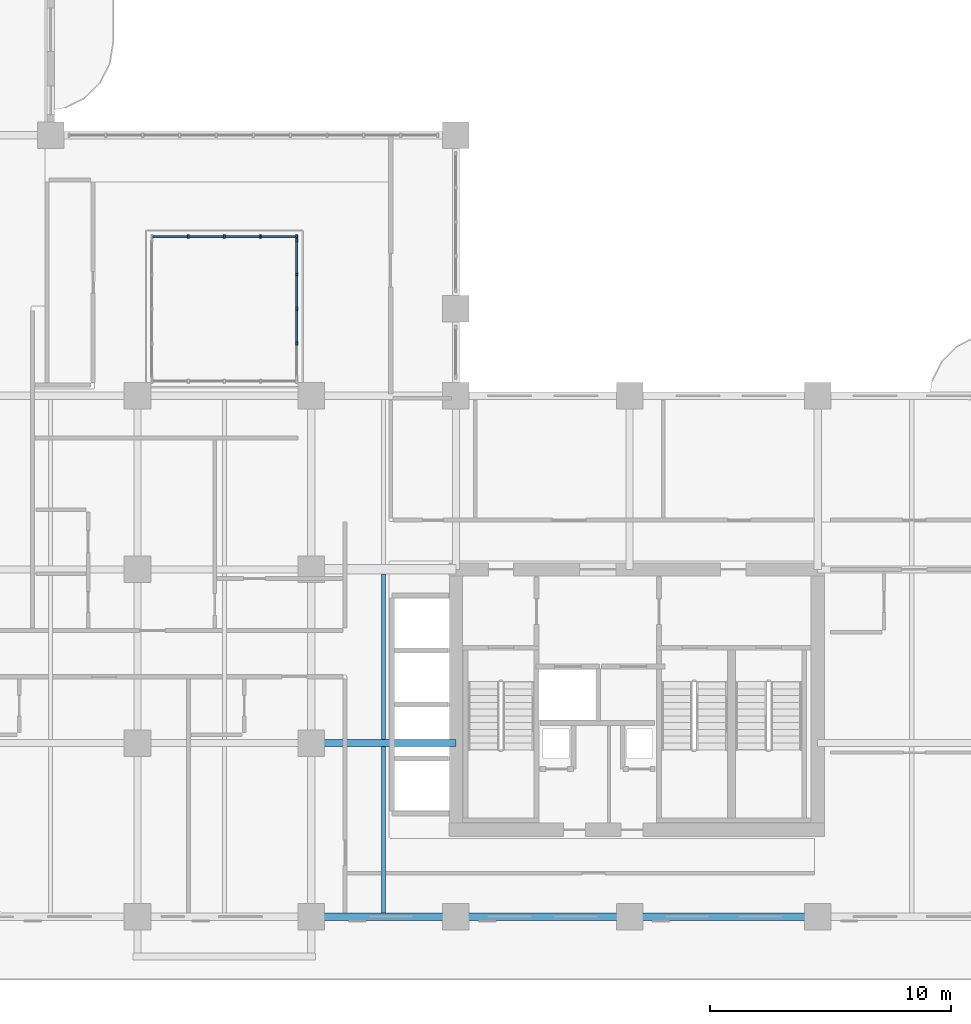
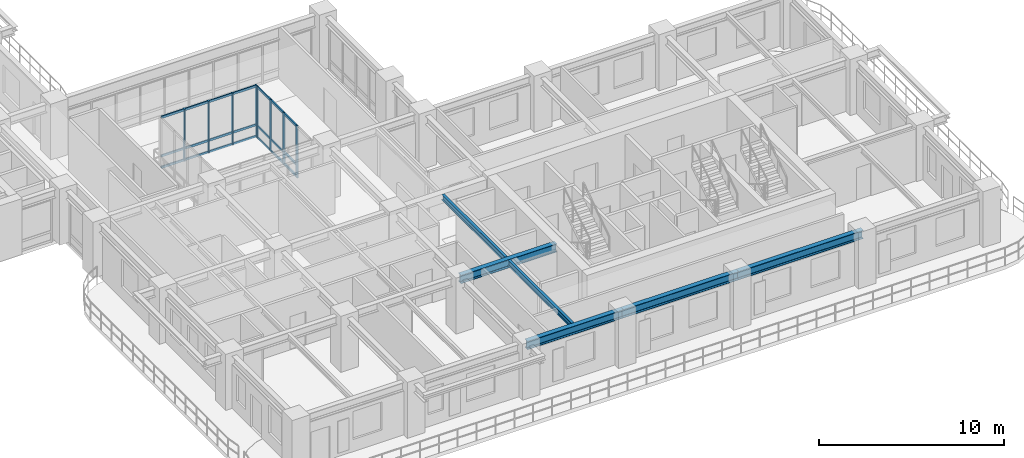
# One storey, part 3 of 22: 29 members, 6 beams, 2 elements without a shape of their own.
"""IFC4 building model written with IfcOpenShell, lengths in metres."""

from ifc_helpers import new_model, si_unit, derived_unit, direction, frame, origin, origin_2d, place, context, subcontext, project, spatial, rectangle, i_section, extrude, source, transform, mapped, material, layer, layer_set, material_profile, profile_set, type_object, type_shapes, element, aggregate, save


model = new_model("IFC4")

# Units and contexts
model_context = context("Model", 3, precision=1e-05, world=origin(), true_north=direction((0.0, 1.0)))
body_context = subcontext(model_context, "Body", "Model", "MODEL_VIEW")
ifc_project = project(units=[si_unit("LENGTHUNIT", "METRE"), si_unit("AREAUNIT", "SQUARE_METRE"), si_unit("VOLUMEUNIT", "CUBIC_METRE"), si_unit("PLANEANGLEUNIT", "RADIAN"), si_unit("MASSUNIT", "GRAM", prefix="KILO"), si_unit("THERMODYNAMICTEMPERATUREUNIT", "KELVIN"), si_unit("POWERUNIT", "WATT"), derived_unit("THERMALTRANSMITTANCEUNIT", [(si_unit("POWERUNIT", "WATT"), 1), (si_unit("AREAUNIT", "SQUARE_METRE"), -1), (si_unit("THERMODYNAMICTEMPERATUREUNIT", "KELVIN"), -1)])], contexts=[model_context])

# Site, building, storey
site_placement = place(None, origin())
site = spatial("IfcSite", under=ifc_project, at=site_placement, CompositionType="ELEMENT")
building_placement = place(site_placement, origin())
building = spatial("IfcBuilding", under=site, at=building_placement, Name="Zahravan Archway Hotel and Residences", CompositionType="ELEMENT")
storey_placement = place(building_placement, frame((0.0, 0.0, 84.199951171875)))
storey = spatial("IfcBuildingStorey", under=building, at=storey_placement, Name="L20", CompositionType="ELEMENT", Elevation=84.199951171875)

# Beams
ifc_material_1 = material(Name="Structural Steel S355JR", Category="steel")
ifc_material_profile_1 = material_profile(ifc_material_1, i_section(OverallWidth=0.300048828125, OverallDepth=0.550048828125, WebThickness=0.014892578125, FlangeThickness=0.029052734375, FilletRadius=0.027099609375, at=origin_2d()), Name="HEB 550", Category="steel")
ifc_profile_set_1 = profile_set([ifc_material_profile_1], Name="Structural Steel S355JR")
beam_type_1 = type_object("IfcBeamType", Name="BM-PRI-HEB550", PredefinedType="BEAM", material=ifc_profile_set_1)
shared_shape_1 = source(origin(), body_context, "Body", "SweptSolid", [
    extrude(i_section(OverallWidth=0.300048828125, OverallDepth=0.550048828125, WebThickness=0.014892578125, FlangeThickness=0.029052734375, FilletRadius=0.027099609375, at=origin_2d()), origin(), (0.0, 0.0, 1.0), 7.199951171875),
])
beam_1_placement = place(storey_placement, frame((34.800048828125, 0.0, 3.175048828125), z_axis=(1.0, 0.0, 0.0), x_axis=(0.0, 1.0, 0.0)))
element("IfcBeam", 1, at=beam_1_placement, inside=storey, type_object=beam_type_1, Name="L20 Primary Girder EW-04", PredefinedType="BEAM", context=body_context, shape_type="MappedRepresentation", body=[
    mapped(shared_shape_1, transform((0.0, 0.0, 0.0), scale=1.0)),
])
shared_shape_2 = source(origin(), body_context, "Body", "SweptSolid", [
    extrude(i_section(OverallWidth=0.300048828125, OverallDepth=0.550048828125, WebThickness=0.014892578125, FlangeThickness=0.029052734375, FilletRadius=0.027099609375, at=origin_2d()), origin(), (0.0, 0.0, 1.0), 6.0),
])
for number, where, z_axis, x_axis, name in (
    (2, (28.800048828125, 0.0, 3.175048828125), (1.0, 0.0, 0.0), (0.0, 1.0, 0.0), "L20 Primary Girder EW-03"),
    (3, (28.800048828125, 7.199951171875, 3.175048828125), (1.0, 0.0, 0.0), (0.0, 1.0, 0.0), "L20 Primary Girder EW-09"),
):
    element("IfcBeam", number, at=place(storey_placement, frame(where, z_axis=z_axis, x_axis=x_axis)), inside=storey, type_object=beam_type_1, Name=name, PredefinedType="BEAM", context=body_context, shape_type="MappedRepresentation", body=[
        mapped(shared_shape_2, transform((0.0, 0.0, 0.0), scale=1.0)),
    ])
shared_shape_3 = source(origin(), body_context, "Body", "SweptSolid", [
    extrude(i_section(OverallWidth=0.300048828125, OverallDepth=0.550048828125, WebThickness=0.014892578125, FlangeThickness=0.029052734375, FilletRadius=0.027099609375, at=origin_2d()), origin(), (0.0, 0.0, 1.0), 7.800048828125),
])
beam_2_placement = place(storey_placement, frame((42.0, 0.0, 3.175048828125), z_axis=(1.0, 0.0, 0.0), x_axis=(0.0, 1.0, 0.0)))
element("IfcBeam", 4, at=beam_2_placement, inside=storey, type_object=beam_type_1, Name="L20 Primary Girder EW-05", PredefinedType="BEAM", context=body_context, shape_type="MappedRepresentation", body=[
    mapped(shared_shape_3, transform((0.0, 0.0, 0.0), scale=1.0)),
])
ifc_material_profile_2 = material_profile(ifc_material_1, i_section(OverallWidth=0.169921875, OverallDepth=0.360107421875, WebThickness=0.008056640625, FlangeThickness=0.0126953125, FilletRadius=0.01806640625, at=origin_2d()), Name="IPE 360", Category="steel")
ifc_profile_set_2 = profile_set([ifc_material_profile_2], Name="Structural Steel S355JR")
beam_type_2 = type_object("IfcBeamType", Name="BM-JST-IPE360", PredefinedType="JOIST", material=ifc_profile_set_2)
shared_shape_4 = source(origin(), body_context, "Body", "SweptSolid", [
    extrude(i_section(OverallWidth=0.169921875, OverallDepth=0.360107421875, WebThickness=0.008056640625, FlangeThickness=0.0126953125, FilletRadius=0.01806640625, at=origin_2d()), origin(), (0.0, 0.0, 1.0), 6.904052734375),
])
type_shapes(beam_type_2, [shared_shape_4])
beam_3_placement = place(storey_placement, frame((31.800048828125, 0.14794921875, 3.27001953125), z_axis=(0.0, 1.0, 0.0), x_axis=(-1.0, 0.0, 0.0)))
element("IfcBeam", 5, at=beam_3_placement, inside=storey, type_object=beam_type_2, Name="L20 Composite Floor Joist 03", PredefinedType="JOIST", context=body_context, shape_type="MappedRepresentation", body=[
    mapped(shared_shape_4, transform((0.0, 0.0, 0.0), scale=1.0)),
])
shared_shape_5 = source(origin(), body_context, "Body", "SweptSolid", [
    extrude(i_section(OverallWidth=0.169921875, OverallDepth=0.360107421875, WebThickness=0.008056640625, FlangeThickness=0.0126953125, FilletRadius=0.01806640625, at=origin_2d()), origin(), (0.0, 0.0, 1.0), 6.85400390625),
])
beam_4_placement = place(storey_placement, frame((31.800048828125, 7.347900390625, 3.27001953125), z_axis=(0.0, 1.0, 0.0), x_axis=(-1.0, 0.0, 0.0)))
element("IfcBeam", 6, at=beam_4_placement, inside=storey, type_object=beam_type_2, Name="L20 Composite Floor Joist 07", PredefinedType="JOIST", context=body_context, shape_type="MappedRepresentation", body=[
    mapped(shared_shape_5, transform((0.0, 0.0, 0.0), scale=1.0)),
])

# Curtain wall, members
ifc_material_2 = material(Name="Bronze-Anodized Unitised Aluminium & Low-E Glass", Category="aluminium")
ifc_layer = layer(ifc_material_2, 0.179931640625, Name="Bronze-Anodized Unitised Aluminium & Low-E Glass", Category="aluminium")
ifc_layer_set = layer_set([ifc_layer], Name="Bronze-Anodized Unitised Aluminium & Low-E Glass")
curtain_wall_type = type_object("IfcCurtainWallType", Name="CW-ATR-GLAZ", PredefinedType="NOTDEFINED", material=ifc_layer_set)
curtain_wall_1_placement = place(storey_placement, origin())
curtain_wall_1 = element("IfcCurtainWall", 7, at=curtain_wall_1_placement, inside=storey, type_object=curtain_wall_type, Name="L20 Curtain Wall CW-ATR-L20-N-1", PredefinedType="NOTDEFINED")
ifc_material_3 = material(Name="Bronze-Anodized Extruded Aluminium", Category="aluminium")
ifc_material_profile_3 = material_profile(ifc_material_3, rectangle(XDim=0.080078125, YDim=0.159912109375, at=origin_2d()), Name="MUL 80x160", Category="aluminium")
ifc_profile_set_3 = profile_set([ifc_material_profile_3], Name="Bronze-Anodized Extruded Aluminium")
member_type_1 = type_object("IfcMemberType", Name="CWM-MUL-160", PredefinedType="MULLION", material=ifc_profile_set_3)
shared_shape_6 = source(origin(), body_context, "Body", "SweptSolid", [
    extrude(rectangle(XDim=0.080078125, YDim=0.159912109375, at=origin_2d()), origin(), (0.0, 0.0, 1.0), 3.449951171875),
])
member_1_placement = place(storey_placement, frame((23.699951171875, 28.199951171875, 0.0), z_axis=(0.0, 0.0, 1.0), x_axis=(1.0, 0.0, 0.0)))
member_1 = element("IfcMember", 8, at=member_1_placement, type_object=member_type_1, Name="CW-ATR-L20-N-1 Mullion 1", PredefinedType="MULLION", context=body_context, shape_type="MappedRepresentation", body=[
    mapped(shared_shape_6, transform((0.0, 0.0, 0.0), scale=1.0)),
])
member_2_placement = place(storey_placement, frame((25.199951171875, 28.199951171875, 0.0), z_axis=(0.0, 0.0, 1.0), x_axis=(1.0, 0.0, 0.0)))
member_2 = element("IfcMember", 9, at=member_2_placement, type_object=member_type_1, Name="CW-ATR-L20-N-1 Mullion 2", PredefinedType="MULLION", context=body_context, shape_type="MappedRepresentation", body=[
    mapped(shared_shape_6, transform((0.0, 0.0, 0.0), scale=1.0)),
])
member_3_placement = place(storey_placement, frame((26.699951171875, 28.199951171875, 0.0), z_axis=(0.0, 0.0, 1.0), x_axis=(1.0, 0.0, 0.0)))
member_3 = element("IfcMember", 10, at=member_3_placement, type_object=member_type_1, Name="CW-ATR-L20-N-1 Mullion 3", PredefinedType="MULLION", context=body_context, shape_type="MappedRepresentation", body=[
    mapped(shared_shape_6, transform((0.0, 0.0, 0.0), scale=1.0)),
])
member_4_placement = place(storey_placement, frame((28.199951171875, 28.199951171875, 0.0), z_axis=(0.0, 0.0, 1.0), x_axis=(1.0, 0.0, 0.0)))
member_4 = element("IfcMember", 11, at=member_4_placement, type_object=member_type_1, Name="CW-ATR-L20-N-1 Mullion 4", PredefinedType="MULLION", context=body_context, shape_type="MappedRepresentation", body=[
    mapped(shared_shape_6, transform((0.0, 0.0, 0.0), scale=1.0)),
])

curtain_wall_2_placement = place(storey_placement, origin())
curtain_wall_2 = element("IfcCurtainWall", 12, at=curtain_wall_2_placement, inside=storey, type_object=curtain_wall_type, Name="L20 Curtain Wall CW-ATR-L20-E-1", PredefinedType="NOTDEFINED")
member_5_placement = place(storey_placement, frame((28.199951171875, 23.77490234375, 0.0), z_axis=(0.0, 0.0, 1.0), x_axis=(1.0, 0.0, 0.0)))
member_5 = element("IfcMember", 13, at=member_5_placement, type_object=member_type_1, Name="CW-ATR-L20-E-1 Mullion 1", PredefinedType="MULLION", context=body_context, shape_type="MappedRepresentation", body=[
    mapped(shared_shape_6, transform((0.0, 0.0, 0.0), scale=1.0)),
])
member_6_placement = place(storey_placement, frame((28.199951171875, 25.199951171875, 0.0), z_axis=(0.0, 0.0, 1.0), x_axis=(1.0, 0.0, 0.0)))
member_6 = element("IfcMember", 14, at=member_6_placement, type_object=member_type_1, Name="CW-ATR-L20-E-1 Mullion 2", PredefinedType="MULLION", context=body_context, shape_type="MappedRepresentation", body=[
    mapped(shared_shape_6, transform((0.0, 0.0, 0.0), scale=1.0)),
])
member_7_placement = place(storey_placement, frame((28.199951171875, 26.625, 0.0), z_axis=(0.0, 0.0, 1.0), x_axis=(1.0, 0.0, 0.0)))
member_7 = element("IfcMember", 15, at=member_7_placement, type_object=member_type_1, Name="CW-ATR-L20-E-1 Mullion 3", PredefinedType="MULLION", context=body_context, shape_type="MappedRepresentation", body=[
    mapped(shared_shape_6, transform((0.0, 0.0, 0.0), scale=1.0)),
])
member_8_placement = place(storey_placement, frame((28.199951171875, 28.050048828125, 0.0), z_axis=(0.0, 0.0, 1.0), x_axis=(1.0, 0.0, 0.0)))
member_8 = element("IfcMember", 16, at=member_8_placement, type_object=member_type_1, Name="CW-ATR-L20-E-1 Mullion 4", PredefinedType="MULLION", context=body_context, shape_type="MappedRepresentation", body=[
    mapped(shared_shape_6, transform((0.0, 0.0, 0.0), scale=1.0)),
])

# Member
ifc_material_profile_4 = material_profile(ifc_material_3, rectangle(XDim=0.080078125, YDim=0.139892578125, at=origin_2d()), Name="TRN 80x140", Category="aluminium")
ifc_profile_set_4 = profile_set([ifc_material_profile_4], Name="Bronze-Anodized Extruded Aluminium")
member_type_2 = type_object("IfcMemberType", Name="CWM-TRN-140", PredefinedType="USERDEFINED", material=ifc_profile_set_4)
shared_shape_7 = source(origin(), body_context, "Body", "SweptSolid", [
    extrude(rectangle(XDim=0.080078125, YDim=0.139892578125, at=origin_2d()), origin(), (0.0, 0.0, 1.0), 1.419921875),
])
member_9_placement = place(storey_placement, frame((22.239990234375, 28.199951171875, 0.070068359375), z_axis=(1.0, 0.0, 0.0), x_axis=(0.0, 1.0, 0.0)))
member_9 = element("IfcMember", 17, at=member_9_placement, type_object=member_type_2, Name="CW-ATR-L20-N-1 Transom 0-1", ObjectType="TRANSOM", PredefinedType="USERDEFINED", context=body_context, shape_type="MappedRepresentation", body=[
    mapped(shared_shape_7, transform((0.0, 0.0, 0.0), scale=1.0)),
])

member_10_placement = place(storey_placement, frame((22.239990234375, 28.199951171875, 0.828125), z_axis=(1.0, 0.0, 0.0), x_axis=(0.0, 1.0, 0.0)))
member_10 = element("IfcMember", 18, at=member_10_placement, type_object=member_type_2, Name="CW-ATR-L20-N-1 Transom 0-2", ObjectType="TRANSOM", PredefinedType="USERDEFINED", context=body_context, shape_type="MappedRepresentation", body=[
    mapped(shared_shape_7, transform((0.0, 0.0, 0.0), scale=1.0)),
])

member_11_placement = place(storey_placement, frame((22.239990234375, 28.199951171875, 3.380126953125), z_axis=(1.0, 0.0, 0.0), x_axis=(0.0, 1.0, 0.0)))
member_11 = element("IfcMember", 19, at=member_11_placement, type_object=member_type_2, Name="CW-ATR-L20-N-1 Transom 0-3", ObjectType="TRANSOM", PredefinedType="USERDEFINED", context=body_context, shape_type="MappedRepresentation", body=[
    mapped(shared_shape_7, transform((0.0, 0.0, 0.0), scale=1.0)),
])

member_12_placement = place(storey_placement, frame((23.739990234375, 28.199951171875, 0.070068359375), z_axis=(1.0, 0.0, 0.0), x_axis=(0.0, 1.0, 0.0)))
member_12 = element("IfcMember", 20, at=member_12_placement, type_object=member_type_2, Name="CW-ATR-L20-N-1 Transom 1-1", ObjectType="TRANSOM", PredefinedType="USERDEFINED", context=body_context, shape_type="MappedRepresentation", body=[
    mapped(shared_shape_7, transform((0.0, 0.0, 0.0), scale=1.0)),
])

member_13_placement = place(storey_placement, frame((23.739990234375, 28.199951171875, 0.828125), z_axis=(1.0, 0.0, 0.0), x_axis=(0.0, 1.0, 0.0)))
member_13 = element("IfcMember", 21, at=member_13_placement, type_object=member_type_2, Name="CW-ATR-L20-N-1 Transom 1-2", ObjectType="TRANSOM", PredefinedType="USERDEFINED", context=body_context, shape_type="MappedRepresentation", body=[
    mapped(shared_shape_7, transform((0.0, 0.0, 0.0), scale=1.0)),
])

member_14_placement = place(storey_placement, frame((23.739990234375, 28.199951171875, 3.380126953125), z_axis=(1.0, 0.0, 0.0), x_axis=(0.0, 1.0, 0.0)))
member_14 = element("IfcMember", 22, at=member_14_placement, type_object=member_type_2, Name="CW-ATR-L20-N-1 Transom 1-3", ObjectType="TRANSOM", PredefinedType="USERDEFINED", context=body_context, shape_type="MappedRepresentation", body=[
    mapped(shared_shape_7, transform((0.0, 0.0, 0.0), scale=1.0)),
])

member_15_placement = place(storey_placement, frame((25.239990234375, 28.199951171875, 0.070068359375), z_axis=(1.0, 0.0, 0.0), x_axis=(0.0, 1.0, 0.0)))
member_15 = element("IfcMember", 23, at=member_15_placement, type_object=member_type_2, Name="CW-ATR-L20-N-1 Transom 2-1", ObjectType="TRANSOM", PredefinedType="USERDEFINED", context=body_context, shape_type="MappedRepresentation", body=[
    mapped(shared_shape_7, transform((0.0, 0.0, 0.0), scale=1.0)),
])

member_16_placement = place(storey_placement, frame((25.239990234375, 28.199951171875, 0.828125), z_axis=(1.0, 0.0, 0.0), x_axis=(0.0, 1.0, 0.0)))
member_16 = element("IfcMember", 24, at=member_16_placement, type_object=member_type_2, Name="CW-ATR-L20-N-1 Transom 2-2", ObjectType="TRANSOM", PredefinedType="USERDEFINED", context=body_context, shape_type="MappedRepresentation", body=[
    mapped(shared_shape_7, transform((0.0, 0.0, 0.0), scale=1.0)),
])

member_17_placement = place(storey_placement, frame((25.239990234375, 28.199951171875, 3.380126953125), z_axis=(1.0, 0.0, 0.0), x_axis=(0.0, 1.0, 0.0)))
member_17 = element("IfcMember", 25, at=member_17_placement, type_object=member_type_2, Name="CW-ATR-L20-N-1 Transom 2-3", ObjectType="TRANSOM", PredefinedType="USERDEFINED", context=body_context, shape_type="MappedRepresentation", body=[
    mapped(shared_shape_7, transform((0.0, 0.0, 0.0), scale=1.0)),
])

member_18_placement = place(storey_placement, frame((26.739990234375, 28.199951171875, 0.070068359375), z_axis=(1.0, 0.0, 0.0), x_axis=(0.0, 1.0, 0.0)))
member_18 = element("IfcMember", 26, at=member_18_placement, type_object=member_type_2, Name="CW-ATR-L20-N-1 Transom 3-1", ObjectType="TRANSOM", PredefinedType="USERDEFINED", context=body_context, shape_type="MappedRepresentation", body=[
    mapped(shared_shape_7, transform((0.0, 0.0, 0.0), scale=1.0)),
])

member_19_placement = place(storey_placement, frame((26.739990234375, 28.199951171875, 0.828125), z_axis=(1.0, 0.0, 0.0), x_axis=(0.0, 1.0, 0.0)))
member_19 = element("IfcMember", 27, at=member_19_placement, type_object=member_type_2, Name="CW-ATR-L20-N-1 Transom 3-2", ObjectType="TRANSOM", PredefinedType="USERDEFINED", context=body_context, shape_type="MappedRepresentation", body=[
    mapped(shared_shape_7, transform((0.0, 0.0, 0.0), scale=1.0)),
])

member_20_placement = place(storey_placement, frame((26.739990234375, 28.199951171875, 3.380126953125), z_axis=(1.0, 0.0, 0.0), x_axis=(0.0, 1.0, 0.0)))
member_20 = element("IfcMember", 28, at=member_20_placement, type_object=member_type_2, Name="CW-ATR-L20-N-1 Transom 3-3", ObjectType="TRANSOM", PredefinedType="USERDEFINED", context=body_context, shape_type="MappedRepresentation", body=[
    mapped(shared_shape_7, transform((0.0, 0.0, 0.0), scale=1.0)),
])

aggregate(curtain_wall_1, [member_1, member_2, member_3, member_4, member_9, member_10, member_11, member_12, member_13, member_14, member_15, member_16, member_17, member_18, member_19, member_20])

shared_shape_8 = source(origin(), body_context, "Body", "SweptSolid", [
    extrude(rectangle(XDim=0.080078125, YDim=0.139892578125, at=origin_2d()), origin(), (0.0, 0.0, 1.0), 1.344970703125),
])
member_21_placement = place(storey_placement, frame((28.199951171875, 23.81494140625, 0.070068359375), z_axis=(0.0, 1.0, 0.0), x_axis=(-1.0, 0.0, 0.0)))
member_21 = element("IfcMember", 29, at=member_21_placement, type_object=member_type_2, Name="CW-ATR-L20-E-1 Transom 1-1", ObjectType="TRANSOM", PredefinedType="USERDEFINED", context=body_context, shape_type="MappedRepresentation", body=[
    mapped(shared_shape_8, transform((0.0, 0.0, 0.0), scale=1.0)),
])

member_22_placement = place(storey_placement, frame((28.199951171875, 23.81494140625, 0.828125), z_axis=(0.0, 1.0, 0.0), x_axis=(-1.0, 0.0, 0.0)))
member_22 = element("IfcMember", 30, at=member_22_placement, type_object=member_type_2, Name="CW-ATR-L20-E-1 Transom 1-2", ObjectType="TRANSOM", PredefinedType="USERDEFINED", context=body_context, shape_type="MappedRepresentation", body=[
    mapped(shared_shape_8, transform((0.0, 0.0, 0.0), scale=1.0)),
])

member_23_placement = place(storey_placement, frame((28.199951171875, 23.81494140625, 3.380126953125), z_axis=(0.0, 1.0, 0.0), x_axis=(-1.0, 0.0, 0.0)))
member_23 = element("IfcMember", 31, at=member_23_placement, type_object=member_type_2, Name="CW-ATR-L20-E-1 Transom 1-3", ObjectType="TRANSOM", PredefinedType="USERDEFINED", context=body_context, shape_type="MappedRepresentation", body=[
    mapped(shared_shape_8, transform((0.0, 0.0, 0.0), scale=1.0)),
])

member_24_placement = place(storey_placement, frame((28.199951171875, 25.239990234375, 0.070068359375), z_axis=(0.0, 1.0, 0.0), x_axis=(-1.0, 0.0, 0.0)))
member_24 = element("IfcMember", 32, at=member_24_placement, type_object=member_type_2, Name="CW-ATR-L20-E-1 Transom 2-1", ObjectType="TRANSOM", PredefinedType="USERDEFINED", context=body_context, shape_type="MappedRepresentation", body=[
    mapped(shared_shape_8, transform((0.0, 0.0, 0.0), scale=1.0)),
])

member_25_placement = place(storey_placement, frame((28.199951171875, 25.239990234375, 0.828125), z_axis=(0.0, 1.0, 0.0), x_axis=(-1.0, 0.0, 0.0)))
member_25 = element("IfcMember", 33, at=member_25_placement, type_object=member_type_2, Name="CW-ATR-L20-E-1 Transom 2-2", ObjectType="TRANSOM", PredefinedType="USERDEFINED", context=body_context, shape_type="MappedRepresentation", body=[
    mapped(shared_shape_8, transform((0.0, 0.0, 0.0), scale=1.0)),
])

member_26_placement = place(storey_placement, frame((28.199951171875, 25.239990234375, 3.380126953125), z_axis=(0.0, 1.0, 0.0), x_axis=(-1.0, 0.0, 0.0)))
member_26 = element("IfcMember", 34, at=member_26_placement, type_object=member_type_2, Name="CW-ATR-L20-E-1 Transom 2-3", ObjectType="TRANSOM", PredefinedType="USERDEFINED", context=body_context, shape_type="MappedRepresentation", body=[
    mapped(shared_shape_8, transform((0.0, 0.0, 0.0), scale=1.0)),
])

member_27_placement = place(storey_placement, frame((28.199951171875, 26.6650390625, 0.070068359375), z_axis=(0.0, 1.0, 0.0), x_axis=(-1.0, 0.0, 0.0)))
member_27 = element("IfcMember", 35, at=member_27_placement, type_object=member_type_2, Name="CW-ATR-L20-E-1 Transom 3-1", ObjectType="TRANSOM", PredefinedType="USERDEFINED", context=body_context, shape_type="MappedRepresentation", body=[
    mapped(shared_shape_8, transform((0.0, 0.0, 0.0), scale=1.0)),
])

member_28_placement = place(storey_placement, frame((28.199951171875, 26.6650390625, 0.828125), z_axis=(0.0, 1.0, 0.0), x_axis=(-1.0, 0.0, 0.0)))
member_28 = element("IfcMember", 36, at=member_28_placement, type_object=member_type_2, Name="CW-ATR-L20-E-1 Transom 3-2", ObjectType="TRANSOM", PredefinedType="USERDEFINED", context=body_context, shape_type="MappedRepresentation", body=[
    mapped(shared_shape_8, transform((0.0, 0.0, 0.0), scale=1.0)),
])

member_29_placement = place(storey_placement, frame((28.199951171875, 26.6650390625, 3.380126953125), z_axis=(0.0, 1.0, 0.0), x_axis=(-1.0, 0.0, 0.0)))
member_29 = element("IfcMember", 37, at=member_29_placement, type_object=member_type_2, Name="CW-ATR-L20-E-1 Transom 3-3", ObjectType="TRANSOM", PredefinedType="USERDEFINED", context=body_context, shape_type="MappedRepresentation", body=[
    mapped(shared_shape_8, transform((0.0, 0.0, 0.0), scale=1.0)),
])

aggregate(curtain_wall_2, [member_5, member_6, member_7, member_8, member_21, member_22, member_23, member_24, member_25, member_26, member_27, member_28, member_29])

save(model, "model.ifc")
